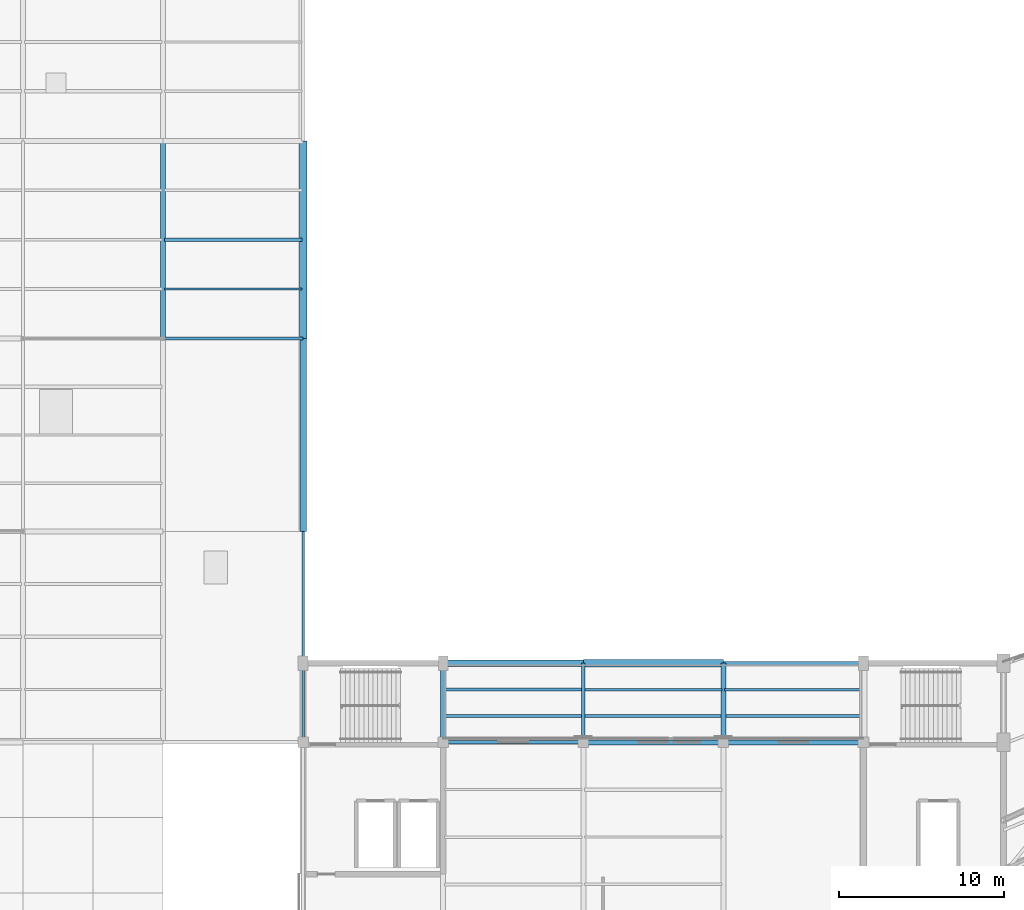
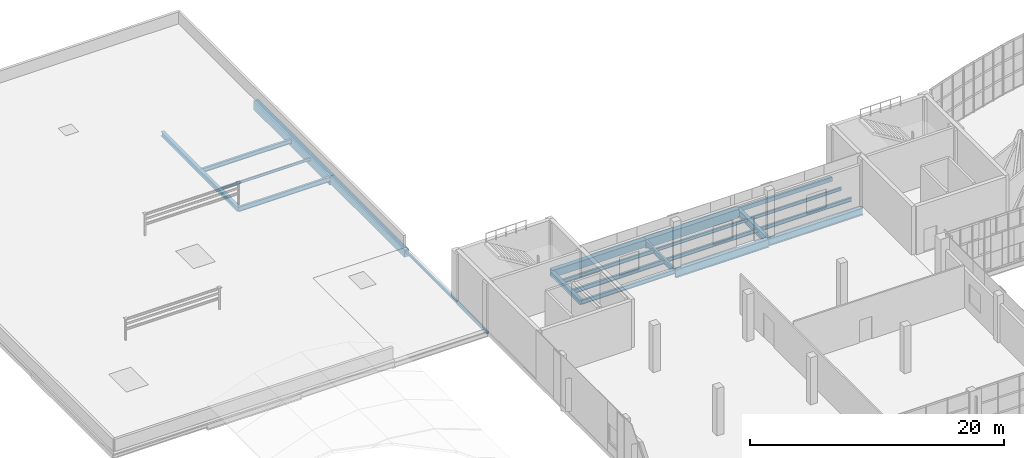
# One storey, part 14 of 66: 23 beams.
"""IFC4 building model written with IfcOpenShell, lengths in metres."""

from ifc_helpers import new_model, si_unit, direction, frame, origin, origin_2d, place, context, subcontext, project, spatial, rectangle, hollow_rectangle, i_section, extrude, material, material_profile, profile_set, type_object, element, save


model = new_model("IFC4")

# Units and contexts
model_context = context("Model", 3, precision=1e-05, world=origin(), true_north=direction((0.0, 1.0)))
body_context = subcontext(model_context, "Body", "Model", "MODEL_VIEW")
ifc_project = project(units=[si_unit("LENGTHUNIT", "METRE"), si_unit("AREAUNIT", "SQUARE_METRE"), si_unit("VOLUMEUNIT", "CUBIC_METRE"), si_unit("PLANEANGLEUNIT", "RADIAN"), si_unit("MASSUNIT", "GRAM", prefix="KILO")], contexts=[model_context])

# Site, building, storey
site_placement = place(None, origin())
site = spatial("IfcSite", under=ifc_project, at=site_placement, CompositionType="ELEMENT")
building_placement = place(site_placement, origin())
building = spatial("IfcBuilding", under=site, at=building_placement, Name="Solvikara Media Centre", CompositionType="ELEMENT")
storey_placement = place(building_placement, frame((0.0, 0.0, 19.800048828125)))
storey = spatial("IfcBuildingStorey", under=building, at=storey_placement, Name="L04", CompositionType="ELEMENT", Elevation=19.800048828125)

# Beams
ifc_material_1 = material(Name="Concrete fc' 35 MPa (C35/45)", Category="concrete")
ifc_material_profile_1 = material_profile(ifc_material_1, rectangle(XDim=0.39990234375, YDim=0.699951171875, at=origin_2d()), Name="RC 400x700")
ifc_profile_set_1 = profile_set([ifc_material_profile_1], Name="Concrete fc' 35 MPa (C35/45)")
beam_type_1 = type_object("IfcBeamType", Name="BM-13", PredefinedType="SPANDREL", material=ifc_profile_set_1)
beam_1_placement = place(storey_placement, frame((42.5, 36.800048828125, -0.6201171875), z_axis=(1.0, 0.0, 0.0), x_axis=(0.0, 1.0, 0.0)))
element("IfcBeam", 1, at=beam_1_placement, inside=storey, type_object=beam_type_1, Name="B-L04-X1459", PredefinedType="SPANDREL", context=body_context, shape_type="SweptSolid", body=[
    extrude(rectangle(XDim=0.39990234375, YDim=0.699951171875, at=origin_2d()), origin(), (0.0, 0.0, 1.0), 8.5),
])
beam_2_placement = place(storey_placement, frame((34.0, 44.800048828125, -0.580078125), z_axis=(0.0, 1.0, 0.0), x_axis=(-1.0, 0.0, 0.0)))
element("IfcBeam", 2, at=beam_2_placement, inside=storey, type_object=beam_type_1, Name="B-L04-Y1513", PredefinedType="SPANDREL", context=body_context, shape_type="SweptSolid", body=[
    extrude(rectangle(XDim=0.39990234375, YDim=0.699951171875, at=origin_2d()), origin(), (0.0, 0.0, 1.0), 11.699951171875),
])
ifc_material_profile_2 = material_profile(ifc_material_1, rectangle(XDim=0.449951171875, YDim=0.85009765625, at=origin_2d()), Name="RC 450x850")
ifc_profile_set_2 = profile_set([ifc_material_profile_2], Name="Concrete fc' 35 MPa (C35/45)")
beam_type_2 = type_object("IfcBeamType", Name="BM-14", PredefinedType="SPANDREL", material=ifc_profile_set_2)
beam_3_placement = place(storey_placement, frame((51.0, 36.800048828125, -0.695068359375), z_axis=(1.0, 0.0, 0.0), x_axis=(0.0, 1.0, 0.0)))
element("IfcBeam", 3, at=beam_3_placement, inside=storey, type_object=beam_type_2, Name="B-L04-X1460", PredefinedType="SPANDREL", context=body_context, shape_type="SweptSolid", body=[
    extrude(rectangle(XDim=0.449951171875, YDim=0.85009765625, at=origin_2d()), origin(), (0.0, 0.0, 1.0), 8.5),
])
beam_4_placement = place(storey_placement, frame((34.0, 56.5, -0.655029296875), z_axis=(0.0, 1.0, 0.0), x_axis=(-1.0, 0.0, 0.0)))
element("IfcBeam", 4, at=beam_4_placement, inside=storey, type_object=beam_type_2, Name="B-L04-Y1514", PredefinedType="SPANDREL", context=body_context, shape_type="SweptSolid", body=[
    extrude(rectangle(XDim=0.449951171875, YDim=0.85009765625, at=origin_2d()), origin(), (0.0, 0.0, 1.0), 12.0),
])
ifc_material_2 = material(Name="Steel S355JR", Category="steel")
ifc_material_profile_3 = material_profile(ifc_material_2, i_section(OverallWidth=0.300048828125, OverallDepth=0.800048828125, WebThickness=0.013916015625, FlangeThickness=0.02587890625, at=origin_2d()), Name="WF 800x300x14x26")
ifc_profile_set_3 = profile_set([ifc_material_profile_3], Name="Steel S355JR")
beam_type_3 = type_object("IfcBeamType", Name="BM-16", PredefinedType="BEAM", material=ifc_profile_set_3)
beam_5_placement = place(storey_placement, frame((51.0, 32.0, -0.68212890625), z_axis=(1.0, 0.0, 0.0), x_axis=(0.0, 1.0, 0.0)))
element("IfcBeam", 5, at=beam_5_placement, inside=storey, type_object=beam_type_3, Name="B-L04-X1457", PredefinedType="BEAM", context=body_context, shape_type="SweptSolid", body=[
    extrude(i_section(OverallWidth=0.300048828125, OverallDepth=0.800048828125, WebThickness=0.013916015625, FlangeThickness=0.02587890625, at=origin_2d()), origin(), (0.0, 0.0, 1.0), 8.5),
])
ifc_material_profile_4 = material_profile(ifc_material_2, i_section(OverallWidth=0.300048828125, OverallDepth=0.699951171875, WebThickness=0.012939453125, FlangeThickness=0.02392578125, at=origin_2d()), Name="WF 700x300x13x24")
ifc_profile_set_4 = profile_set([ifc_material_profile_4], Name="Steel S355JR")
beam_type_4 = type_object("IfcBeamType", Name="BM-17", PredefinedType="BEAM", material=ifc_profile_set_4)
beam_6_placement = place(storey_placement, frame((59.5, 32.0, -0.632080078125), z_axis=(1.0, 0.0, 0.0), x_axis=(0.0, 1.0, 0.0)))
element("IfcBeam", 6, at=beam_6_placement, inside=storey, type_object=beam_type_4, Name="B-L04-X1458", PredefinedType="BEAM", context=body_context, shape_type="SweptSolid", body=[
    extrude(i_section(OverallWidth=0.300048828125, OverallDepth=0.699951171875, WebThickness=0.012939453125, FlangeThickness=0.02392578125, at=origin_2d()), origin(), (0.0, 0.0, 1.0), 8.5),
])
beam_7_placement = place(storey_placement, frame((59.5, 32.0, -0.6220703125), z_axis=(0.0, 1.0, 0.0), x_axis=(-1.0, 0.0, 0.0)))
element("IfcBeam", 7, at=beam_7_placement, inside=storey, type_object=beam_type_4, Name="B-L04-Y1528", PredefinedType="BEAM", context=body_context, shape_type="SweptSolid", body=[
    extrude(i_section(OverallWidth=0.300048828125, OverallDepth=0.699951171875, WebThickness=0.012939453125, FlangeThickness=0.02392578125, at=origin_2d()), origin(), (0.0, 0.0, 1.0), 4.800048828125),
])
ifc_material_profile_5 = material_profile(ifc_material_2, i_section(OverallWidth=0.199951171875, OverallDepth=0.449951171875, WebThickness=0.009033203125, FlangeThickness=0.013916015625, at=origin_2d()), Name="WF 450x200x9x14")
ifc_profile_set_5 = profile_set([ifc_material_profile_5], Name="Steel S355JR")
beam_type_5 = type_object("IfcBeamType", Name="BM-20", PredefinedType="BEAM", material=ifc_profile_set_5)
beam_8_placement = place(storey_placement, frame((25.5, 56.5, -0.45703125), z_axis=(1.0, 0.0, 0.0), x_axis=(0.0, 1.0, 0.0)))
element("IfcBeam", 8, at=beam_8_placement, inside=storey, type_object=beam_type_5, Name="B-L04-X1474", PredefinedType="BEAM", context=body_context, shape_type="SweptSolid", body=[
    extrude(i_section(OverallWidth=0.199951171875, OverallDepth=0.449951171875, WebThickness=0.009033203125, FlangeThickness=0.013916015625, at=origin_2d()), origin(), (0.0, 0.0, 1.0), 8.5),
])
ifc_material_profile_6 = material_profile(ifc_material_2, i_section(OverallWidth=0.199951171875, OverallDepth=0.39990234375, WebThickness=0.008056640625, FlangeThickness=0.012939453125, at=origin_2d()), Name="WF 400x200x8x13")
ifc_profile_set_6 = profile_set([ifc_material_profile_6], Name="Steel S355JR")
beam_type_6 = type_object("IfcBeamType", Name="BM-21", PredefinedType="JOIST", material=ifc_profile_set_6)
for number, where, z_axis, x_axis, name in (
    (9, (25.577880859375, 62.5, -0.43212890625), (1.0, 0.0, 0.0), (0.0, 1.0, 0.0), "J-L04-1585"),
    (10, (42.577880859375, 33.60009765625, -0.47998046875), (1.0, 0.0, 0.0), (0.0, 1.0, 0.0), "J-L04-1601"),
):
    element("IfcBeam", number, at=place(storey_placement, frame(where, z_axis=z_axis, x_axis=x_axis)), inside=storey, type_object=beam_type_6, Name=name, PredefinedType="JOIST", context=body_context, shape_type="SweptSolid", body=[
        extrude(i_section(OverallWidth=0.199951171875, OverallDepth=0.39990234375, WebThickness=0.008056640625, FlangeThickness=0.012939453125, at=origin_2d()), origin(), (0.0, 0.0, 1.0), 8.34423828125),
    ])
ifc_material_profile_7 = material_profile(ifc_material_2, i_section(OverallWidth=0.175048828125, OverallDepth=0.35009765625, WebThickness=0.007080078125, FlangeThickness=0.010986328125, at=origin_2d()), Name="WF 350x175x7x11")
ifc_profile_set_7 = profile_set([ifc_material_profile_7], Name="Steel S355JR")
beam_type_7 = type_object("IfcBeamType", Name="BM-22", PredefinedType="JOIST", material=ifc_profile_set_7)
for number, where, z_axis, x_axis, name in (
    (11, (42.577880859375, 35.199951171875, -0.455078125), (1.0, 0.0, 0.0), (0.0, 1.0, 0.0), "J-L04-1602"),
    (12, (51.077880859375, 33.60009765625, -0.455078125), (1.0, 0.0, 0.0), (0.0, 1.0, 0.0), "J-L04-1610"),
):
    element("IfcBeam", number, at=place(storey_placement, frame(where, z_axis=z_axis, x_axis=x_axis)), inside=storey, type_object=beam_type_7, Name=name, PredefinedType="JOIST", context=body_context, shape_type="SweptSolid", body=[
        extrude(i_section(OverallWidth=0.175048828125, OverallDepth=0.35009765625, WebThickness=0.007080078125, FlangeThickness=0.010986328125, at=origin_2d()), origin(), (0.0, 0.0, 1.0), 8.34423828125),
    ])
ifc_material_profile_8 = material_profile(ifc_material_2, i_section(OverallWidth=0.14990234375, OverallDepth=0.300048828125, WebThickness=0.006591796875, FlangeThickness=0.009033203125, at=origin_2d()), Name="WF 300x150x6.5x9")
ifc_profile_set_8 = profile_set([ifc_material_profile_8], Name="Steel S355JR")
beam_type_8 = type_object("IfcBeamType", Name="BM-23", PredefinedType="JOIST", material=ifc_profile_set_8)
beam_9_placement = place(storey_placement, frame((51.077880859375, 35.199951171875, -0.429931640625), z_axis=(1.0, 0.0, 0.0), x_axis=(0.0, 1.0, 0.0)))
element("IfcBeam", 13, at=beam_9_placement, inside=storey, type_object=beam_type_8, Name="J-L04-1611", PredefinedType="JOIST", context=body_context, shape_type="SweptSolid", body=[
    extrude(i_section(OverallWidth=0.14990234375, OverallDepth=0.300048828125, WebThickness=0.006591796875, FlangeThickness=0.009033203125, at=origin_2d()), origin(), (0.0, 0.0, 1.0), 8.34423828125),
])
ifc_material_profile_9 = material_profile(ifc_material_2, i_section(OverallWidth=0.300048828125, OverallDepth=0.43994140625, WebThickness=0.010986328125, FlangeThickness=0.01806640625, at=origin_2d()), Name="H 440x300x11x18")
ifc_profile_set_9 = profile_set([ifc_material_profile_9], Name="Steel S355JR")
beam_type_9 = type_object("IfcBeamType", Name="BM-28", PredefinedType="BEAM", material=ifc_profile_set_9)
beam_10_placement = place(storey_placement, frame((25.5, 56.5, -0.4521484375), z_axis=(0.0, 1.0, 0.0), x_axis=(-1.0, 0.0, 0.0)))
element("IfcBeam", 14, at=beam_10_placement, inside=storey, type_object=beam_type_9, Name="B-L04-Y1506", PredefinedType="BEAM", context=body_context, shape_type="SweptSolid", body=[
    extrude(i_section(OverallWidth=0.300048828125, OverallDepth=0.43994140625, WebThickness=0.010986328125, FlangeThickness=0.01806640625, at=origin_2d()), origin(), (0.0, 0.0, 1.0), 12.0),
])
beam_11_placement = place(storey_placement, frame((42.5, 32.0, -0.501953125), z_axis=(0.0, 1.0, 0.0), x_axis=(-1.0, 0.0, 0.0)))
element("IfcBeam", 15, at=beam_11_placement, inside=storey, type_object=beam_type_9, Name="B-L04-Y1520", PredefinedType="BEAM", context=body_context, shape_type="SweptSolid", body=[
    extrude(i_section(OverallWidth=0.300048828125, OverallDepth=0.43994140625, WebThickness=0.010986328125, FlangeThickness=0.01806640625, at=origin_2d()), origin(), (0.0, 0.0, 1.0), 4.800048828125),
])
ifc_material_profile_10 = material_profile(ifc_material_2, hollow_rectangle(XDim=0.199951171875, YDim=0.39990234375, WallThickness=0.011962890625, at=origin_2d()), Name="RHS 400x200x12")
ifc_profile_set_10 = profile_set([ifc_material_profile_10], Name="Steel S355JR")
beam_type_10 = type_object("IfcBeamType", Name="BM-33", PredefinedType="SPANDREL", material=ifc_profile_set_10)
beam_12_placement = place(storey_placement, frame((59.5, 36.800048828125, -0.47216796875), z_axis=(1.0, 0.0, 0.0), x_axis=(0.0, 1.0, 0.0)))
element("IfcBeam", 16, at=beam_12_placement, inside=storey, type_object=beam_type_10, Name="B-L04-X1461", PredefinedType="SPANDREL", context=body_context, shape_type="SweptSolid", body=[
    extrude(hollow_rectangle(XDim=0.199951171875, YDim=0.39990234375, WallThickness=0.011962890625, at=origin_2d()), origin(), (0.0, 0.0, 1.0), 8.5),
])
ifc_material_profile_11 = material_profile(ifc_material_2, hollow_rectangle(XDim=0.14990234375, YDim=0.300048828125, WallThickness=0.010009765625, at=origin_2d()), Name="RHS 300x150x10")
ifc_profile_set_11 = profile_set([ifc_material_profile_11], Name="Steel S355JR")
beam_type_11 = type_object("IfcBeamType", Name="BM-35", PredefinedType="BEAM", material=ifc_profile_set_11)
beam_13_placement = place(storey_placement, frame((34.0, 32.0, -0.462158203125), z_axis=(0.0, 1.0, 0.0), x_axis=(-1.0, 0.0, 0.0)))
element("IfcBeam", 17, at=beam_13_placement, inside=storey, type_object=beam_type_11, Name="B-L04-Y1511", PredefinedType="BEAM", context=body_context, shape_type="SweptSolid", body=[
    extrude(hollow_rectangle(XDim=0.14990234375, YDim=0.300048828125, WallThickness=0.010009765625, at=origin_2d()), origin(), (0.0, 0.0, 1.0), 4.800048828125),
])
ifc_material_profile_12 = material_profile(ifc_material_2, hollow_rectangle(XDim=0.14990234375, YDim=0.25, WallThickness=0.008056640625, at=origin_2d()), Name="RHS 250x150x8")
ifc_profile_set_12 = profile_set([ifc_material_profile_12], Name="Steel S355JR")
beam_type_12 = type_object("IfcBeamType", Name="BM-36", PredefinedType="JOIST", material=ifc_profile_set_12)
beam_14_placement = place(storey_placement, frame((34.0, 36.800048828125, -0.43701171875), z_axis=(0.0, 1.0, 0.0), x_axis=(-1.0, 0.0, 0.0)))
element("IfcBeam", 18, at=beam_14_placement, inside=storey, type_object=beam_type_12, Name="B-L04-Y1512", PredefinedType="JOIST", context=body_context, shape_type="SweptSolid", body=[
    extrude(hollow_rectangle(XDim=0.14990234375, YDim=0.25, WallThickness=0.008056640625, at=origin_2d()), origin(), (0.0, 0.0, 1.0), 8.0),
])
ifc_material_profile_13 = material_profile(ifc_material_2, i_section(OverallWidth=0.174072265625, OverallDepth=0.345947265625, WebThickness=0.006103515625, FlangeThickness=0.009033203125, at=origin_2d()), Name="WF 346x174x6x9")
ifc_profile_set_13 = profile_set([ifc_material_profile_13], Name="Steel S355JR")
beam_type_13 = type_object("IfcBeamType", Name="BM-38", PredefinedType="JOIST", material=ifc_profile_set_13)
beam_15_placement = place(storey_placement, frame((59.577880859375, 33.60009765625, -0.453125), z_axis=(1.0, 0.0, 0.0), x_axis=(0.0, 1.0, 0.0)))
element("IfcBeam", 19, at=beam_15_placement, inside=storey, type_object=beam_type_13, Name="J-L04-1614", PredefinedType="JOIST", context=body_context, shape_type="SweptSolid", body=[
    extrude(i_section(OverallWidth=0.174072265625, OverallDepth=0.345947265625, WebThickness=0.006103515625, FlangeThickness=0.009033203125, at=origin_2d()), origin(), (0.0, 0.0, 1.0), 8.34423828125),
])
ifc_material_profile_14 = material_profile(ifc_material_2, i_section(OverallWidth=0.14892578125, OverallDepth=0.298095703125, WebThickness=0.005615234375, FlangeThickness=0.008056640625, at=origin_2d()), Name="WF 298x149x5.5x8")
ifc_profile_set_14 = profile_set([ifc_material_profile_14], Name="Steel S355JR")
beam_type_14 = type_object("IfcBeamType", Name="BM-39", PredefinedType="JOIST", material=ifc_profile_set_14)
beam_16_placement = place(storey_placement, frame((59.577880859375, 35.199951171875, -0.428955078125), z_axis=(1.0, 0.0, 0.0), x_axis=(0.0, 1.0, 0.0)))
element("IfcBeam", 20, at=beam_16_placement, inside=storey, type_object=beam_type_14, Name="J-L04-1615", PredefinedType="JOIST", context=body_context, shape_type="SweptSolid", body=[
    extrude(i_section(OverallWidth=0.14892578125, OverallDepth=0.298095703125, WebThickness=0.005615234375, FlangeThickness=0.008056640625, at=origin_2d()), origin(), (0.0, 0.0, 1.0), 8.34423828125),
])
ifc_material_profile_15 = material_profile(ifc_material_2, i_section(OverallWidth=0.1240234375, OverallDepth=0.248046875, WebThickness=0.0048828125, FlangeThickness=0.008056640625, at=origin_2d()), Name="WF 248x124x5x8")
ifc_profile_set_15 = profile_set([ifc_material_profile_15], Name="Steel S355JR")
beam_type_15 = type_object("IfcBeamType", Name="BM-40", PredefinedType="JOIST", material=ifc_profile_set_15)
beam_17_placement = place(storey_placement, frame((25.577880859375, 59.5, -0.35595703125), z_axis=(1.0, 0.0, 0.0), x_axis=(0.0, 1.0, 0.0)))
element("IfcBeam", 21, at=beam_17_placement, inside=storey, type_object=beam_type_15, Name="J-L04-1584", PredefinedType="JOIST", context=body_context, shape_type="SweptSolid", body=[
    extrude(i_section(OverallWidth=0.1240234375, OverallDepth=0.248046875, WebThickness=0.0048828125, FlangeThickness=0.008056640625, at=origin_2d()), origin(), (0.0, 0.0, 1.0), 8.34423828125),
])
ifc_material_profile_16 = material_profile(ifc_material_2, i_section(OverallWidth=0.198974609375, OverallDepth=0.49609375, WebThickness=0.009033203125, FlangeThickness=0.013916015625, at=origin_2d()), Name="H 496x199x9x14")
ifc_profile_set_16 = profile_set([ifc_material_profile_16], Name="Steel S355JR")
beam_type_16 = type_object("IfcBeamType", Name="BM-42", PredefinedType="BEAM", material=ifc_profile_set_16)
beam_18_placement = place(storey_placement, frame((51.0, 32.0, -0.52001953125), z_axis=(0.0, 1.0, 0.0), x_axis=(-1.0, 0.0, 0.0)))
element("IfcBeam", 22, at=beam_18_placement, inside=storey, type_object=beam_type_16, Name="B-L04-Y1524", PredefinedType="BEAM", context=body_context, shape_type="SweptSolid", body=[
    extrude(i_section(OverallWidth=0.198974609375, OverallDepth=0.49609375, WebThickness=0.009033203125, FlangeThickness=0.013916015625, at=origin_2d()), origin(), (0.0, 0.0, 1.0), 4.800048828125),
])
ifc_material_profile_17 = material_profile(ifc_material_2, i_section(OverallWidth=0.198974609375, OverallDepth=0.39599609375, WebThickness=0.007080078125, FlangeThickness=0.010986328125, at=origin_2d()), Name="H 396x199x7x11")
ifc_profile_set_17 = profile_set([ifc_material_profile_17], Name="Steel S355JR")
beam_type_17 = type_object("IfcBeamType", Name="BM-44", PredefinedType="BEAM", material=ifc_profile_set_17)
beam_19_placement = place(storey_placement, frame((42.5, 32.0, -0.47998046875), z_axis=(1.0, 0.0, 0.0), x_axis=(0.0, 1.0, 0.0)))
element("IfcBeam", 23, at=beam_19_placement, inside=storey, type_object=beam_type_17, Name="B-L04-X1456", PredefinedType="BEAM", context=body_context, shape_type="SweptSolid", body=[
    extrude(i_section(OverallWidth=0.198974609375, OverallDepth=0.39599609375, WebThickness=0.007080078125, FlangeThickness=0.010986328125, at=origin_2d()), origin(), (0.0, 0.0, 1.0), 8.5),
])

save(model, "model.ifc")
